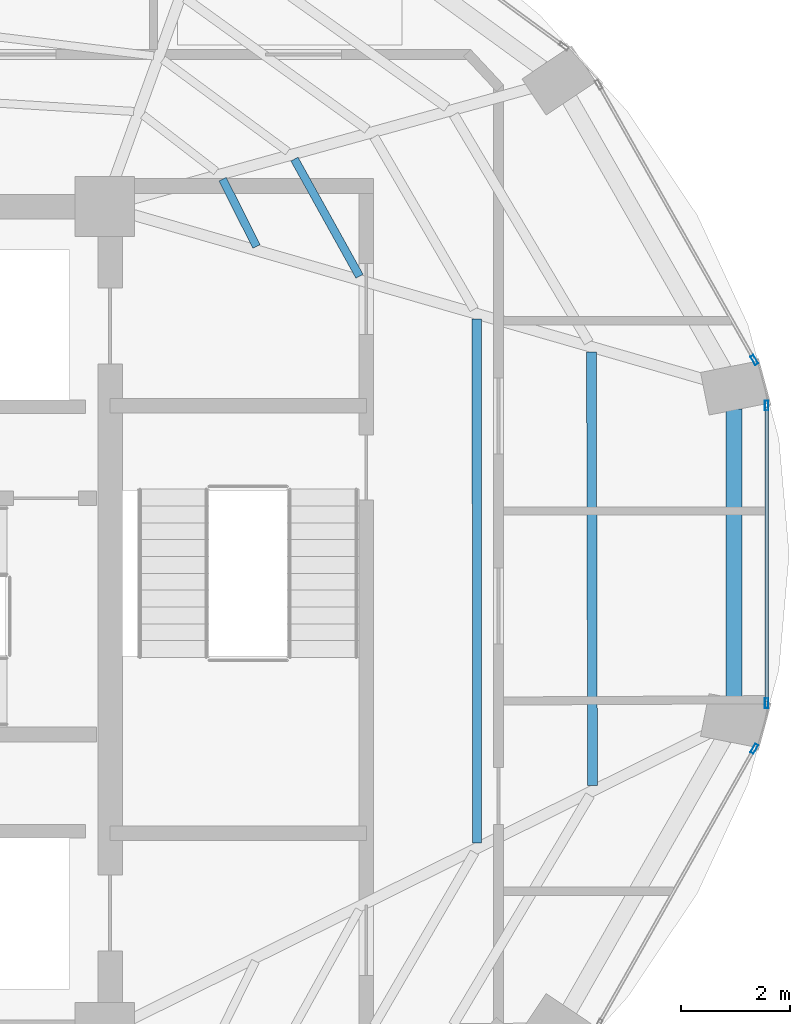
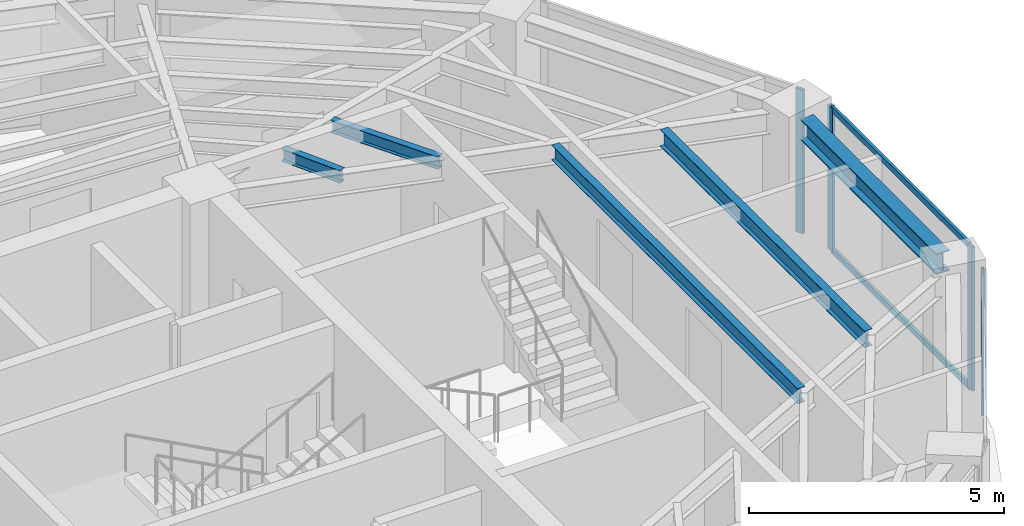
# One storey, part 5 of 15: 6 members, 5 beams, 3 elements without a shape of their own.
"""IFC4 building model written with IfcOpenShell, lengths in metres."""

from ifc_helpers import new_model, si_unit, direction, frame, origin, origin_2d, place, context, subcontext, project, spatial, hollow_rectangle, i_section, extrude, material, layer, layer_set, material_profile, profile_set, type_object, element, aggregate, save


model = new_model("IFC4")

# Units and contexts
model_context = context("Model", 3, precision=1e-05, world=origin(), true_north=direction((0.0, 1.0)))
body_context = subcontext(model_context, "Body", "Model", "MODEL_VIEW")
ifc_project = project(units=[si_unit("LENGTHUNIT", "METRE"), si_unit("AREAUNIT", "SQUARE_METRE"), si_unit("VOLUMEUNIT", "CUBIC_METRE"), si_unit("PLANEANGLEUNIT", "RADIAN"), si_unit("MASSUNIT", "GRAM", prefix="KILO")], contexts=[model_context])

# Site, building, storey
site_placement = place(None, origin())
site = spatial("IfcSite", under=ifc_project, at=site_placement, CompositionType="ELEMENT")
building_placement = place(site_placement, origin())
building = spatial("IfcBuilding", under=site, at=building_placement, Name="Lazwardi Medical Tower", CompositionType="ELEMENT")
storey_placement = place(building_placement, frame((0.0, 0.0, 269.615966796875)))
storey = spatial("IfcBuildingStorey", under=building, at=storey_placement, Name="L70", CompositionType="ELEMENT", Elevation=269.615966796875)

# Beams
ifc_material_1 = material(Name="Steel S355", Category="steel")
ifc_material_profile_1 = material_profile(ifc_material_1, i_section(OverallWidth=0.300048828125, OverallDepth=0.5, WebThickness=0.014404296875, FlangeThickness=0.028076171875, at=origin_2d()), Name="HEB 500")
ifc_profile_set_1 = profile_set([ifc_material_profile_1], Name="Steel S355")
beam_type_1 = type_object("IfcBeamType", Name="BM-RB-Z4", PredefinedType="BEAM", material=ifc_profile_set_1)
beam_1_placement = place(storey_placement, frame((57.18505859375, 26.527099609375, 3.197998046875), z_axis=(0.0, 1.0, 0.0), x_axis=(-1.0, 0.0, 0.0)))
element("IfcBeam", 1, at=beam_1_placement, inside=storey, type_object=beam_type_1, Name="Ring beam RB-05 B04 L70", PredefinedType="BEAM", context=body_context, shape_type="SweptSolid", body=[
    extrude(i_section(OverallWidth=0.300048828125, OverallDepth=0.5, WebThickness=0.014404296875, FlangeThickness=0.028076171875, at=origin_2d()), origin(), (0.0, 0.0, 1.0), 5.345703125),
])
ifc_material_profile_2 = material_profile(ifc_material_1, i_section(OverallWidth=0.179931640625, OverallDepth=0.39990234375, WebThickness=0.008544921875, FlangeThickness=0.013427734375, at=origin_2d()), Name="IPE 400")
ifc_profile_set_2 = profile_set([ifc_material_profile_2], Name="Steel S355")
beam_type_2 = type_object("IfcBeamType", Name="BM-SJ-01", PredefinedType="JOIST", material=ifc_profile_set_2)
beam_2_placement = place(storey_placement, frame((54.580078125, 24.942138671875, 3.248046875), z_axis=(-0.002538606287, 0.999996777734, 0.0), x_axis=(-0.999996777734, -0.002538606287, 0.0)))
element("IfcBeam", 2, at=beam_2_placement, inside=storey, type_object=beam_type_2, Name="Secondary joist SJ-01 R1 B04 L70", PredefinedType="JOIST", context=body_context, shape_type="SweptSolid", body=[
    extrude(i_section(OverallWidth=0.179931640625, OverallDepth=0.39990234375, WebThickness=0.008544921875, FlangeThickness=0.013427734375, at=origin_2d()), origin(), (0.0, 0.0, 1.0), 7.982177734375),
])
ifc_material_profile_3 = material_profile(ifc_material_1, i_section(OverallWidth=0.169921875, OverallDepth=0.360107421875, WebThickness=0.008056640625, FlangeThickness=0.0126953125, at=origin_2d()), Name="IPE 360")
ifc_profile_set_3 = profile_set([ifc_material_profile_3], Name="Steel S355")
beam_type_3 = type_object("IfcBeamType", Name="BM-SJ-02", PredefinedType="JOIST", material=ifc_profile_set_3)
beam_3_placement = place(storey_placement, frame((52.455078125, 23.889892578125, 3.26806640625), z_axis=(-0.000708932372, 0.999999748707, 0.0), x_axis=(-0.999999748707, -0.000708932372, 0.0)))
element("IfcBeam", 3, at=beam_3_placement, inside=storey, type_object=beam_type_3, Name="Secondary joist SJ-02 R2 B04 L70", PredefinedType="JOIST", context=body_context, shape_type="SweptSolid", body=[
    extrude(i_section(OverallWidth=0.169921875, OverallDepth=0.360107421875, WebThickness=0.008056640625, FlangeThickness=0.0126953125, at=origin_2d()), origin(), (0.0, 0.0, 1.0), 9.642578125),
])
ifc_material_profile_4 = material_profile(ifc_material_1, i_section(OverallWidth=0.14990234375, OverallDepth=0.300048828125, WebThickness=0.007080078125, FlangeThickness=0.0107421875, at=origin_2d()), Name="IPE 300")
ifc_profile_set_4 = profile_set([ifc_material_profile_4], Name="Steel S355")
beam_type_4 = type_object("IfcBeamType", Name="BM-SJ-03", PredefinedType="JOIST", material=ifc_profile_set_4)
beam_4_placement = place(storey_placement, frame((50.290771484375, 34.318603515625, 3.298095703125), z_axis=(-0.485634526525, 0.874161945321, 0.0), x_axis=(-0.874161945321, -0.485634526525, 0.0)))
element("IfcBeam", 4, at=beam_4_placement, inside=storey, type_object=beam_type_4, Name="Secondary joist SJ-03 R3 B05 L70", PredefinedType="JOIST", context=body_context, shape_type="SweptSolid", body=[
    extrude(i_section(OverallWidth=0.14990234375, OverallDepth=0.300048828125, WebThickness=0.007080078125, FlangeThickness=0.0107421875, at=origin_2d()), origin(), (0.0, 0.0, 1.0), 2.46630859375),
])
beam_5_placement = place(storey_placement, frame((48.393798828125, 34.867919921875, 3.298095703125), z_axis=(-0.449607078784, 0.893226440891, 0.0), x_axis=(-0.893226440891, -0.449607078784, 0.0)))
element("IfcBeam", 5, at=beam_5_placement, inside=storey, type_object=beam_type_4, Name="Secondary joist SJ-03 R4 B05 L70", PredefinedType="JOIST", context=body_context, shape_type="SweptSolid", body=[
    extrude(i_section(OverallWidth=0.14990234375, OverallDepth=0.300048828125, WebThickness=0.007080078125, FlangeThickness=0.0107421875, at=origin_2d()), origin(), (0.0, 0.0, 1.0), 1.38623046875),
])

# Curtain wall, member
ifc_material_2 = material(Name="Anodised bronze aluminium and solar control glazing", Category="aluminium")
ifc_layer = layer(ifc_material_2, 0.18994140625)
ifc_layer_set = layer_set([ifc_layer], Name="Anodised bronze aluminium and solar control glazing")
curtain_wall_type = type_object("IfcCurtainWallType", Name="CW-SYS-04", PredefinedType="NOTDEFINED", material=ifc_layer_set)
curtain_wall_1_placement = place(storey_placement, origin())
curtain_wall_1 = element("IfcCurtainWall", 6, at=curtain_wall_1_placement, inside=storey, type_object=curtain_wall_type, Name="L70 Unitised bronze curtain wall CW-04", PredefinedType="NOTDEFINED")
ifc_material_3 = material(Name="Anodised bronze aluminium", Category="aluminium")
ifc_material_profile_5 = material_profile(ifc_material_3, hollow_rectangle(XDim=0.06494140625, YDim=0.179931640625, WallThickness=0.00390625, at=origin_2d()), Name="ALU-MULLION 180x65x4")
ifc_profile_set_5 = profile_set([ifc_material_profile_5], Name="Anodised bronze aluminium")
member_type_1 = type_object("IfcMemberType", Name="CW-MUL-03", PredefinedType="MULLION", material=ifc_profile_set_5)
member_1_placement = place(storey_placement, frame((57.557373046875, 25.621826171875, 0.0), z_axis=(0.0, 0.0, 1.0), x_axis=(-0.870651436011, 0.491900474661, 0.0)))
member_1 = element("IfcMember", 7, at=member_1_placement, type_object=member_type_1, Name="CW-04 mullion 2", PredefinedType="MULLION", context=body_context, shape_type="SweptSolid", body=[
    extrude(hollow_rectangle(XDim=0.06494140625, YDim=0.179931640625, WallThickness=0.00390625, at=origin_2d()), origin(), (0.0, 0.0, 1.0), 3.447998046875),
])
aggregate(curtain_wall_1, [member_1])

# Curtain wall, members
curtain_wall_2_placement = place(storey_placement, origin())
curtain_wall_2 = element("IfcCurtainWall", 8, at=curtain_wall_2_placement, inside=storey, type_object=curtain_wall_type, Name="L70 Unitised bronze curtain wall CW-04", PredefinedType="NOTDEFINED")
member_2_placement = place(storey_placement, frame((57.7841796875, 26.45947265625, 0.0), z_axis=(0.0, 0.0, 1.0), x_axis=(-1.0, 0.0, 0.0)))
member_2 = element("IfcMember", 9, at=member_2_placement, type_object=member_type_1, Name="CW-04 mullion 1", PredefinedType="MULLION", context=body_context, shape_type="SweptSolid", body=[
    extrude(hollow_rectangle(XDim=0.06494140625, YDim=0.179931640625, WallThickness=0.00390625, at=origin_2d()), origin(), (0.0, 0.0, 1.0), 3.447998046875),
])
member_3_placement = place(storey_placement, frame((57.7841796875, 31.9404296875, 0.0), z_axis=(0.0, 0.0, 1.0), x_axis=(-1.0, 0.0, 0.0)))
member_3 = element("IfcMember", 10, at=member_3_placement, type_object=member_type_1, Name="CW-04 mullion 2", PredefinedType="MULLION", context=body_context, shape_type="SweptSolid", body=[
    extrude(hollow_rectangle(XDim=0.06494140625, YDim=0.179931640625, WallThickness=0.00390625, at=origin_2d()), origin(), (0.0, 0.0, 1.0), 3.447998046875),
])

# Curtain wall, member
curtain_wall_3_placement = place(storey_placement, origin())
curtain_wall_3 = element("IfcCurtainWall", 11, at=curtain_wall_3_placement, inside=storey, type_object=curtain_wall_type, Name="L70 Unitised bronze curtain wall CW-04", PredefinedType="NOTDEFINED")
member_4_placement = place(storey_placement, frame((57.557373046875, 32.778076171875, 0.0), z_axis=(0.0, 0.0, 1.0), x_axis=(-0.870651436011, -0.491900474661, 0.0)))
member_4 = element("IfcMember", 12, at=member_4_placement, type_object=member_type_1, Name="CW-04 mullion 1", PredefinedType="MULLION", context=body_context, shape_type="SweptSolid", body=[
    extrude(hollow_rectangle(XDim=0.06494140625, YDim=0.179931640625, WallThickness=0.00390625, at=origin_2d()), origin(), (0.0, 0.0, 1.0), 3.447998046875),
])
aggregate(curtain_wall_3, [member_4])

# Member
ifc_material_profile_6 = material_profile(ifc_material_3, hollow_rectangle(XDim=0.06494140625, YDim=0.139892578125, WallThickness=0.00341796875, at=origin_2d()), Name="ALU-TRANSOM 140x65x3.5")
ifc_profile_set_6 = profile_set([ifc_material_profile_6], Name="Anodised bronze aluminium")
member_type_2 = type_object("IfcMemberType", Name="CW-TRN-03", PredefinedType="USERDEFINED", material=ifc_profile_set_6)
member_5_placement = place(storey_placement, frame((57.7841796875, 26.491943359375, 0.032470703125), z_axis=(0.0, 1.0, 0.0), x_axis=(-1.0, 0.0, 0.0)))
member_5 = element("IfcMember", 13, at=member_5_placement, type_object=member_type_2, Name="CW-04 transom 1.1", ObjectType="TRANSOM", PredefinedType="USERDEFINED", context=body_context, shape_type="SweptSolid", body=[
    extrude(hollow_rectangle(XDim=0.06494140625, YDim=0.139892578125, WallThickness=0.00341796875, at=origin_2d()), origin(), (0.0, 0.0, 1.0), 5.416015625),
])

member_6_placement = place(storey_placement, frame((57.7841796875, 26.491943359375, 3.41552734375), z_axis=(0.0, 1.0, 0.0), x_axis=(-1.0, 0.0, 0.0)))
member_6 = element("IfcMember", 14, at=member_6_placement, type_object=member_type_2, Name="CW-04 transom 1.2", ObjectType="TRANSOM", PredefinedType="USERDEFINED", context=body_context, shape_type="SweptSolid", body=[
    extrude(hollow_rectangle(XDim=0.06494140625, YDim=0.139892578125, WallThickness=0.00341796875, at=origin_2d()), origin(), (0.0, 0.0, 1.0), 5.416015625),
])

aggregate(curtain_wall_2, [member_2, member_3, member_5, member_6])

save(model, "model.ifc")
